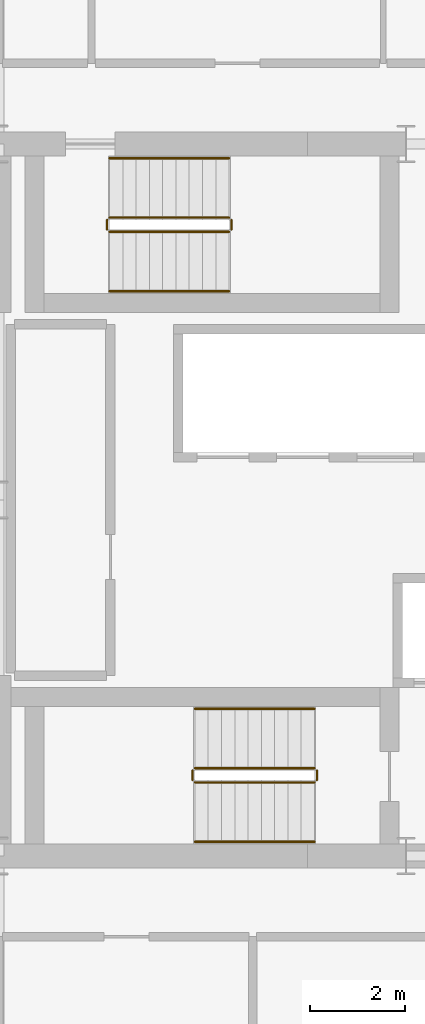
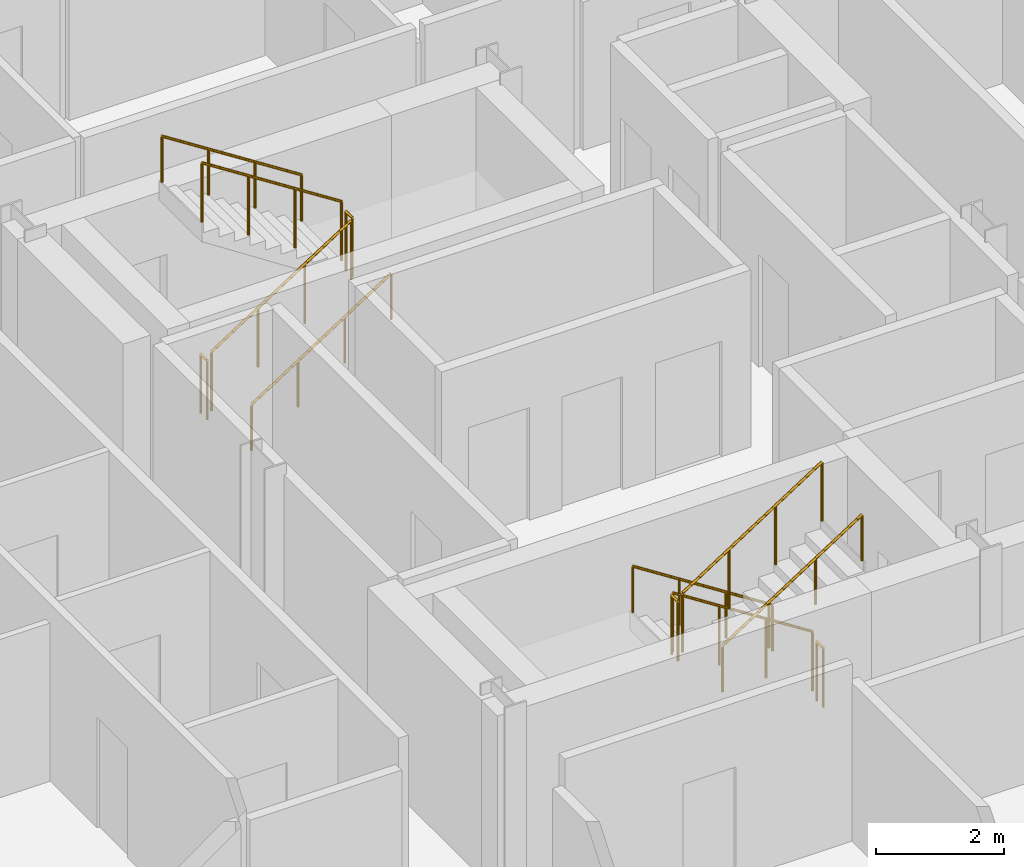
# One storey, part 20 of 21: 12 railings.
"""IFC4 building model written with IfcOpenShell, lengths in metres."""

from ifc_helpers import new_model, si_unit, direction, frame, origin, origin_2d, place, context, subcontext, project, spatial, circle, extrude, material, type_object, element, save


model = new_model("IFC4")

# Units and contexts
model_context = context("Model", 3, precision=1e-05, world=origin(), true_north=direction((0.0, 1.0)))
body_context = subcontext(model_context, "Body", "Model", "MODEL_VIEW")
ifc_project = project(units=[si_unit("LENGTHUNIT", "METRE"), si_unit("AREAUNIT", "SQUARE_METRE"), si_unit("VOLUMEUNIT", "CUBIC_METRE"), si_unit("PLANEANGLEUNIT", "RADIAN"), si_unit("MASSUNIT", "GRAM", prefix="KILO")], contexts=[model_context])

# Site, building, storey
site_placement = place(None, origin())
site = spatial("IfcSite", under=ifc_project, at=site_placement, CompositionType="ELEMENT")
building_placement = place(site_placement, origin())
building = spatial("IfcBuilding", under=site, at=building_placement, Name="Barlavira Tower and Art Museum", CompositionType="ELEMENT")
storey_placement = place(building_placement, frame((0.0, 0.0, 254.699951171875)))
storey = spatial("IfcBuildingStorey", under=building, at=storey_placement, Name="L66", CompositionType="ELEMENT", Elevation=254.699951171875)

# Railings
ifc_material = material(Name="Brushed stainless steel", Category="steel")
railing_type_1 = type_object("IfcRailingType", Name="Interior Void and Landing Guard Railing 1150", PredefinedType="GUARDRAIL", material=ifc_material)
railing_1_placement = place(storey_placement, frame((0.14990234375, -5.64990234375, 0.179931640625)))
element("IfcRailing", 1, at=railing_1_placement, inside=storey, type_object=railing_type_1, Name="L66 ST-T1 stair guard 1", PredefinedType="GUARDRAIL", context=body_context, shape_type="SweptSolid", body=[
    extrude(circle(Radius=0.02392578125, at=origin_2d()), frame((0.0, 0.0, 1.1259765625), z_axis=(-0.841162588446, 0.0, 0.540782303519), x_axis=(0.0, -1.0, 0.0)), (0.0, 0.0, 1.0), 2.995849609375),
    extrude(circle(Radius=0.02099609375, at=origin_2d()), origin(), (0.0, 0.0, 1.0), 1.101806640625),
    extrude(circle(Radius=0.02099609375, at=origin_2d()), frame((-0.840087890625, 0.0, 0.5400390625)), (0.0, 0.0, 1.0), 1.101806640625),
    extrude(circle(Radius=0.02099609375, at=origin_2d()), frame((-1.679931640625, 0.0, 1.080078125)), (0.0, 0.0, 1.0), 1.101806640625),
    extrude(circle(Radius=0.02099609375, at=origin_2d()), frame((-2.52001953125, 0.0, 1.6201171875)), (0.0, 0.0, 1.0), 1.101806640625),
])
railing_2_placement = place(storey_placement, frame((-2.419921875, -5.699951171875, 1.800048828125)))
element("IfcRailing", 2, at=railing_2_placement, inside=storey, type_object=railing_type_1, Name="L66 ST-T1 stair guard 2", PredefinedType="GUARDRAIL", context=body_context, shape_type="SweptSolid", body=[
    extrude(circle(Radius=0.02392578125, at=origin_2d()), frame((0.0, 0.0, 1.1259765625), z_axis=(0.0, -1.0, 0.0), x_axis=(1.0, 0.0, 0.0)), (0.0, 0.0, 1.0), 0.199951171875),
    extrude(circle(Radius=0.02099609375, at=origin_2d()), origin(), (0.0, 0.0, 1.0), 1.101806640625),
    extrude(circle(Radius=0.02099609375, at=origin_2d()), frame((0.0, -0.199951171875, 0.0)), (0.0, 0.0, 1.0), 1.101806640625),
])
railing_3_placement = place(storey_placement, frame((-2.3701171875, -5.949951171875, 1.97998046875)))
element("IfcRailing", 3, at=railing_3_placement, inside=storey, type_object=railing_type_1, Name="L66 ST-T1 stair guard 3", PredefinedType="GUARDRAIL", context=body_context, shape_type="SweptSolid", body=[
    extrude(circle(Radius=0.02392578125, at=origin_2d()), frame((0.0, 0.0, 1.1259765625), z_axis=(0.841162588446, 0.0, 0.540782303519), x_axis=(0.0, 1.0, 0.0)), (0.0, 0.0, 1.0), 2.995849609375),
    extrude(circle(Radius=0.02099609375, at=origin_2d()), origin(), (0.0, 0.0, 1.0), 1.101806640625),
    extrude(circle(Radius=0.02099609375, at=origin_2d()), frame((0.840087890625, 0.0, 0.5400390625)), (0.0, 0.0, 1.0), 1.101806640625),
    extrude(circle(Radius=0.02099609375, at=origin_2d()), frame((1.679931640625, 0.0, 1.080078125)), (0.0, 0.0, 1.0), 1.101806640625),
    extrude(circle(Radius=0.02099609375, at=origin_2d()), frame((2.52001953125, 0.0, 1.6201171875)), (0.0, 0.0, 1.0), 1.101806640625),
])
railing_4_placement = place(storey_placement, frame((0.199951171875, -5.699951171875, 0.0)))
element("IfcRailing", 4, at=railing_4_placement, inside=storey, type_object=railing_type_1, Name="L66 ST-T1 stair guard 4", PredefinedType="GUARDRAIL", context=body_context, shape_type="SweptSolid", body=[
    extrude(circle(Radius=0.02392578125, at=origin_2d()), frame((0.0, 0.0, 1.1259765625), z_axis=(0.0, -1.0, 0.0), x_axis=(1.0, 0.0, 0.0)), (0.0, 0.0, 1.0), 0.199951171875),
    extrude(circle(Radius=0.02099609375, at=origin_2d()), origin(), (0.0, 0.0, 1.0), 1.101806640625),
    extrude(circle(Radius=0.02099609375, at=origin_2d()), frame((0.0, -0.199951171875, 0.0)), (0.0, 0.0, 1.0), 1.101806640625),
])
railing_5_placement = place(storey_placement, frame((-4.169921875, 5.64990234375, 0.179931640625)))
element("IfcRailing", 5, at=railing_5_placement, inside=storey, type_object=railing_type_1, Name="L66 ST-T2 stair guard 1", PredefinedType="GUARDRAIL", context=body_context, shape_type="SweptSolid", body=[
    extrude(circle(Radius=0.02392578125, at=origin_2d()), frame((0.0, 0.0, 1.1259765625), z_axis=(0.841162588446, 0.0, 0.540782303519), x_axis=(0.0, 1.0, 0.0)), (0.0, 0.0, 1.0), 2.995849609375),
    extrude(circle(Radius=0.02099609375, at=origin_2d()), origin(), (0.0, 0.0, 1.0), 1.101806640625),
    extrude(circle(Radius=0.02099609375, at=origin_2d()), frame((0.840087890625, 0.0, 0.5400390625)), (0.0, 0.0, 1.0), 1.101806640625),
    extrude(circle(Radius=0.02099609375, at=origin_2d()), frame((1.679931640625, 0.0, 1.080078125)), (0.0, 0.0, 1.0), 1.101806640625),
    extrude(circle(Radius=0.02099609375, at=origin_2d()), frame((2.52001953125, 0.0, 1.6201171875)), (0.0, 0.0, 1.0), 1.101806640625),
])
railing_6_placement = place(storey_placement, frame((-1.60009765625, 5.699951171875, 1.800048828125)))
element("IfcRailing", 6, at=railing_6_placement, inside=storey, type_object=railing_type_1, Name="L66 ST-T2 stair guard 2", PredefinedType="GUARDRAIL", context=body_context, shape_type="SweptSolid", body=[
    extrude(circle(Radius=0.02392578125, at=origin_2d()), frame((0.0, 0.0, 1.1259765625), z_axis=(0.0, 1.0, 0.0), x_axis=(-1.0, 0.0, 0.0)), (0.0, 0.0, 1.0), 0.199951171875),
    extrude(circle(Radius=0.02099609375, at=origin_2d()), origin(), (0.0, 0.0, 1.0), 1.101806640625),
    extrude(circle(Radius=0.02099609375, at=origin_2d()), frame((0.0, 0.199951171875, 0.0)), (0.0, 0.0, 1.0), 1.101806640625),
])
railing_7_placement = place(storey_placement, frame((-1.64990234375, 5.949951171875, 1.97998046875)))
element("IfcRailing", 7, at=railing_7_placement, inside=storey, type_object=railing_type_1, Name="L66 ST-T2 stair guard 3", PredefinedType="GUARDRAIL", context=body_context, shape_type="SweptSolid", body=[
    extrude(circle(Radius=0.02392578125, at=origin_2d()), frame((0.0, 0.0, 1.1259765625), z_axis=(-0.841162588446, 0.0, 0.540782303519), x_axis=(0.0, -1.0, 0.0)), (0.0, 0.0, 1.0), 2.995849609375),
    extrude(circle(Radius=0.02099609375, at=origin_2d()), origin(), (0.0, 0.0, 1.0), 1.101806640625),
    extrude(circle(Radius=0.02099609375, at=origin_2d()), frame((-0.840087890625, 0.0, 0.5400390625)), (0.0, 0.0, 1.0), 1.101806640625),
    extrude(circle(Radius=0.02099609375, at=origin_2d()), frame((-1.679931640625, 0.0, 1.080078125)), (0.0, 0.0, 1.0), 1.101806640625),
    extrude(circle(Radius=0.02099609375, at=origin_2d()), frame((-2.52001953125, 0.0, 1.6201171875)), (0.0, 0.0, 1.0), 1.101806640625),
])
railing_8_placement = place(storey_placement, frame((-4.219970703125, 5.699951171875, 0.0)))
element("IfcRailing", 8, at=railing_8_placement, inside=storey, type_object=railing_type_1, Name="L66 ST-T2 stair guard 4", PredefinedType="GUARDRAIL", context=body_context, shape_type="SweptSolid", body=[
    extrude(circle(Radius=0.02392578125, at=origin_2d()), frame((0.0, 0.0, 1.1259765625), z_axis=(0.0, 1.0, 0.0), x_axis=(-1.0, 0.0, 0.0)), (0.0, 0.0, 1.0), 0.199951171875),
    extrude(circle(Radius=0.02099609375, at=origin_2d()), origin(), (0.0, 0.0, 1.0), 1.101806640625),
    extrude(circle(Radius=0.02099609375, at=origin_2d()), frame((0.0, 0.199951171875, 0.0)), (0.0, 0.0, 1.0), 1.101806640625),
])
railing_type_2 = type_object("IfcRailingType", Name="Stair Pitch Tubular Steel Handrail 920", PredefinedType="HANDRAIL", material=ifc_material)
railing_9_placement = place(storey_placement, frame((0.14990234375, -4.39990234375, 0.179931640625)))
element("IfcRailing", 9, at=railing_9_placement, inside=storey, type_object=railing_type_2, Name="L66 ST-T1 stair handrail 1", PredefinedType="HANDRAIL", context=body_context, shape_type="SweptSolid", body=[
    extrude(circle(Radius=0.02392578125, at=origin_2d()), frame((0.0, 0.0, 0.8759765625), z_axis=(-0.841162588446, 0.0, 0.540782303519), x_axis=(0.0, -1.0, 0.0)), (0.0, 0.0, 1.0), 2.995849609375),
    extrude(circle(Radius=0.02099609375, at=origin_2d()), origin(), (0.0, 0.0, 1.0), 0.851806640625),
    extrude(circle(Radius=0.02099609375, at=origin_2d()), frame((-0.840087890625, 0.0, 0.5400390625)), (0.0, 0.0, 1.0), 0.851806640625),
    extrude(circle(Radius=0.02099609375, at=origin_2d()), frame((-1.679931640625, 0.0, 1.080078125)), (0.0, 0.0, 1.0), 0.851806640625),
    extrude(circle(Radius=0.02099609375, at=origin_2d()), frame((-2.52001953125, 0.0, 1.6201171875)), (0.0, 0.0, 1.0), 0.851806640625),
])
for number, where, name in (
    (10, (-2.3701171875, -7.199951171875, 1.97998046875), "L66 ST-T1 stair handrail 2"),
    (11, (-4.169921875, 4.39990234375, 0.179931640625), "L66 ST-T2 stair handrail 1"),
):
    element("IfcRailing", number, at=place(storey_placement, frame(where)), inside=storey, type_object=railing_type_2, Name=name, PredefinedType="HANDRAIL", context=body_context, shape_type="SweptSolid", body=[
        extrude(circle(Radius=0.02392578125, at=origin_2d()), frame((0.0, 0.0, 0.8759765625), z_axis=(0.841162588446, 0.0, 0.540782303519), x_axis=(0.0, 1.0, 0.0)), (0.0, 0.0, 1.0), 2.995849609375),
        extrude(circle(Radius=0.02099609375, at=origin_2d()), origin(), (0.0, 0.0, 1.0), 0.851806640625),
        extrude(circle(Radius=0.02099609375, at=origin_2d()), frame((0.840087890625, 0.0, 0.5400390625)), (0.0, 0.0, 1.0), 0.851806640625),
        extrude(circle(Radius=0.02099609375, at=origin_2d()), frame((1.679931640625, 0.0, 1.080078125)), (0.0, 0.0, 1.0), 0.851806640625),
        extrude(circle(Radius=0.02099609375, at=origin_2d()), frame((2.52001953125, 0.0, 1.6201171875)), (0.0, 0.0, 1.0), 0.851806640625),
    ])
railing_10_placement = place(storey_placement, frame((-1.64990234375, 7.199951171875, 1.97998046875)))
element("IfcRailing", 12, at=railing_10_placement, inside=storey, type_object=railing_type_2, Name="L66 ST-T2 stair handrail 2", PredefinedType="HANDRAIL", context=body_context, shape_type="SweptSolid", body=[
    extrude(circle(Radius=0.02392578125, at=origin_2d()), frame((0.0, 0.0, 0.8759765625), z_axis=(-0.841162588446, 0.0, 0.540782303519), x_axis=(0.0, -1.0, 0.0)), (0.0, 0.0, 1.0), 2.995849609375),
    extrude(circle(Radius=0.02099609375, at=origin_2d()), origin(), (0.0, 0.0, 1.0), 0.851806640625),
    extrude(circle(Radius=0.02099609375, at=origin_2d()), frame((-0.840087890625, 0.0, 0.5400390625)), (0.0, 0.0, 1.0), 0.851806640625),
    extrude(circle(Radius=0.02099609375, at=origin_2d()), frame((-1.679931640625, 0.0, 1.080078125)), (0.0, 0.0, 1.0), 0.851806640625),
    extrude(circle(Radius=0.02099609375, at=origin_2d()), frame((-2.52001953125, 0.0, 1.6201171875)), (0.0, 0.0, 1.0), 0.851806640625),
])

save(model, "model.ifc")
